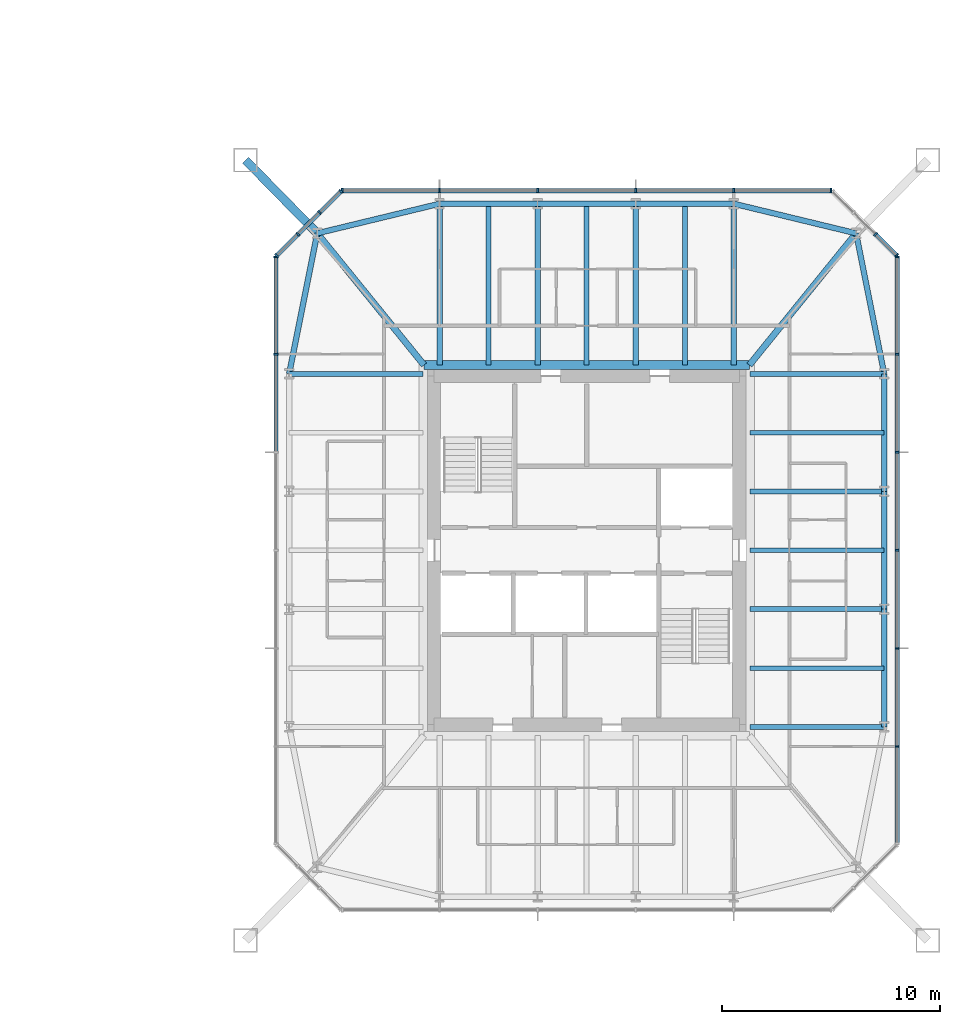
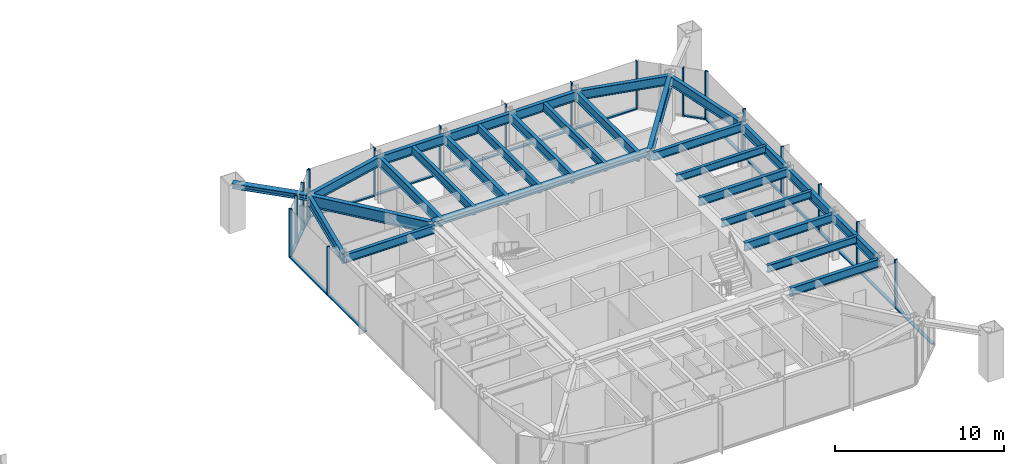
# One storey, part 9 of 25: 38 members, 28 beams, 5 elements without a shape of their own.
"""IFC4 building model written with IfcOpenShell, lengths in metres."""

from ifc_helpers import new_model, si_unit, direction, frame, origin, origin_2d, place, context, subcontext, project, spatial, rectangle, i_section, extrude, material, material_profile, profile_set, type_object, element, aggregate, save


model = new_model("IFC4")

# Units and contexts
model_context = context("Model", 3, precision=1e-05, world=origin(), true_north=direction((0.0, 1.0)))
body_context = subcontext(model_context, "Body", "Model", "MODEL_VIEW")
ifc_project = project(units=[si_unit("LENGTHUNIT", "METRE"), si_unit("AREAUNIT", "SQUARE_METRE"), si_unit("VOLUMEUNIT", "CUBIC_METRE"), si_unit("PLANEANGLEUNIT", "RADIAN"), si_unit("MASSUNIT", "GRAM", prefix="KILO")], contexts=[model_context])

# Site, building, storey
site_placement = place(None, origin())
site = spatial("IfcSite", under=ifc_project, at=site_placement, CompositionType="ELEMENT")
building_placement = place(site_placement, origin())
building = spatial("IfcBuilding", under=site, at=building_placement, Name="Iwan Alto Co-Living Towers", CompositionType="ELEMENT")
storey_placement = place(building_placement, frame((0.0, 0.0, 119.0)))
storey = spatial("IfcBuildingStorey", under=building, at=storey_placement, Name="L32", CompositionType="ELEMENT", Elevation=119.0)

# Curtain wall, members
ifc_material_1 = material(Name="Bronze aluminium unitised frame", Category="aluminium")
curtain_wall_type_1 = type_object("IfcCurtainWallType", Name="CURTAIN WALL CW-C", PredefinedType="NOTDEFINED", material=ifc_material_1)
curtain_wall_1_placement = place(storey_placement, origin())
curtain_wall_1 = element("IfcCurtainWall", 1, at=curtain_wall_1_placement, inside=storey, type_object=curtain_wall_type_1, Name="T2 curtain wall E L32", PredefinedType="NOTDEFINED")
ifc_material_2 = material(Name="Aluminium 6063-T6 bronze anodised", Category="aluminium")
ifc_material_profile_1 = material_profile(ifc_material_2, rectangle(XDim=0.199951171875, YDim=0.080078125, at=origin_2d()), Name="AL 80X200")
ifc_profile_set_1 = profile_set([ifc_material_profile_1], Name="Aluminium 6063-T6 bronze anodised")
member_type_1 = type_object("IfcMemberType", Name="CW-C MULLION 80X200", PredefinedType="MULLION", material=ifc_profile_set_1)
member_1_placement = place(storey_placement, frame((77.25, -9.0, 0.0), z_axis=(0.0, 0.0, 1.0), x_axis=(-1.0, 0.0, 0.0)))
member_1 = element("IfcMember", 2, at=member_1_placement, type_object=member_type_1, Name="CW-C mullion 2", PredefinedType="MULLION", context=body_context, shape_type="SweptSolid", body=[
    extrude(rectangle(XDim=0.199951171875, YDim=0.080078125, at=origin_2d()), origin(), (0.0, 0.0, 1.0), 3.5),
])
member_2_placement = place(storey_placement, frame((77.25, -4.5, 0.0), z_axis=(0.0, 0.0, 1.0), x_axis=(-1.0, 0.0, 0.0)))
member_2 = element("IfcMember", 3, at=member_2_placement, type_object=member_type_1, Name="CW-C mullion 3", PredefinedType="MULLION", context=body_context, shape_type="SweptSolid", body=[
    extrude(rectangle(XDim=0.199951171875, YDim=0.080078125, at=origin_2d()), origin(), (0.0, 0.0, 1.0), 3.5),
])
member_3_placement = place(storey_placement, frame((77.25, 0.0, 0.0), z_axis=(0.0, 0.0, 1.0), x_axis=(-1.0, 0.0, 0.0)))
member_3 = element("IfcMember", 4, at=member_3_placement, type_object=member_type_1, Name="CW-C mullion 4", PredefinedType="MULLION", context=body_context, shape_type="SweptSolid", body=[
    extrude(rectangle(XDim=0.199951171875, YDim=0.080078125, at=origin_2d()), origin(), (0.0, 0.0, 1.0), 3.5),
])
member_4_placement = place(storey_placement, frame((77.25, 4.5, 0.0), z_axis=(0.0, 0.0, 1.0), x_axis=(-1.0, 0.0, 0.0)))
member_4 = element("IfcMember", 5, at=member_4_placement, type_object=member_type_1, Name="CW-C mullion 5", PredefinedType="MULLION", context=body_context, shape_type="SweptSolid", body=[
    extrude(rectangle(XDim=0.199951171875, YDim=0.080078125, at=origin_2d()), origin(), (0.0, 0.0, 1.0), 3.5),
])
member_5_placement = place(storey_placement, frame((77.25, 9.0, 0.0), z_axis=(0.0, 0.0, 1.0), x_axis=(-1.0, 0.0, 0.0)))
member_5 = element("IfcMember", 6, at=member_5_placement, type_object=member_type_1, Name="CW-C mullion 6", PredefinedType="MULLION", context=body_context, shape_type="SweptSolid", body=[
    extrude(rectangle(XDim=0.199951171875, YDim=0.080078125, at=origin_2d()), origin(), (0.0, 0.0, 1.0), 3.5),
])
member_6_placement = place(storey_placement, frame((77.25, 13.4599609375, 0.0), z_axis=(0.0, 0.0, 1.0), x_axis=(-1.0, 0.0, 0.0)))
member_6 = element("IfcMember", 7, at=member_6_placement, type_object=member_type_1, Name="CW-C mullion 7", PredefinedType="MULLION", context=body_context, shape_type="SweptSolid", body=[
    extrude(rectangle(XDim=0.199951171875, YDim=0.080078125, at=origin_2d()), origin(), (0.0, 0.0, 1.0), 3.5),
])

curtain_wall_2_placement = place(storey_placement, origin())
curtain_wall_2 = element("IfcCurtainWall", 8, at=curtain_wall_2_placement, inside=storey, type_object=curtain_wall_type_1, Name="T2 curtain wall N L32", PredefinedType="NOTDEFINED")
member_7_placement = place(storey_placement, frame((74.2099609375, 16.5, 0.0), z_axis=(0.0, 0.0, 1.0), x_axis=(0.0, -1.0, 0.0)))
member_7 = element("IfcMember", 9, at=member_7_placement, type_object=member_type_1, Name="CW-C mullion 1", PredefinedType="MULLION", context=body_context, shape_type="SweptSolid", body=[
    extrude(rectangle(XDim=0.199951171875, YDim=0.080078125, at=origin_2d()), origin(), (0.0, 0.0, 1.0), 3.5),
])
member_8_placement = place(storey_placement, frame((69.75, 16.5, 0.0), z_axis=(0.0, 0.0, 1.0), x_axis=(0.0, -1.0, 0.0)))
member_8 = element("IfcMember", 10, at=member_8_placement, type_object=member_type_1, Name="CW-C mullion 2", PredefinedType="MULLION", context=body_context, shape_type="SweptSolid", body=[
    extrude(rectangle(XDim=0.199951171875, YDim=0.080078125, at=origin_2d()), origin(), (0.0, 0.0, 1.0), 3.5),
])
member_9_placement = place(storey_placement, frame((65.25, 16.5, 0.0), z_axis=(0.0, 0.0, 1.0), x_axis=(0.0, -1.0, 0.0)))
member_9 = element("IfcMember", 11, at=member_9_placement, type_object=member_type_1, Name="CW-C mullion 3", PredefinedType="MULLION", context=body_context, shape_type="SweptSolid", body=[
    extrude(rectangle(XDim=0.199951171875, YDim=0.080078125, at=origin_2d()), origin(), (0.0, 0.0, 1.0), 3.5),
])
member_10_placement = place(storey_placement, frame((60.75, 16.5, 0.0), z_axis=(0.0, 0.0, 1.0), x_axis=(0.0, -1.0, 0.0)))
member_10 = element("IfcMember", 12, at=member_10_placement, type_object=member_type_1, Name="CW-C mullion 4", PredefinedType="MULLION", context=body_context, shape_type="SweptSolid", body=[
    extrude(rectangle(XDim=0.199951171875, YDim=0.080078125, at=origin_2d()), origin(), (0.0, 0.0, 1.0), 3.5),
])
member_11_placement = place(storey_placement, frame((56.25, 16.5, 0.0), z_axis=(0.0, 0.0, 1.0), x_axis=(0.0, -1.0, 0.0)))
member_11 = element("IfcMember", 13, at=member_11_placement, type_object=member_type_1, Name="CW-C mullion 5", PredefinedType="MULLION", context=body_context, shape_type="SweptSolid", body=[
    extrude(rectangle(XDim=0.199951171875, YDim=0.080078125, at=origin_2d()), origin(), (0.0, 0.0, 1.0), 3.5),
])
member_12_placement = place(storey_placement, frame((51.7900390625, 16.5, 0.0), z_axis=(0.0, 0.0, 1.0), x_axis=(0.0, -1.0, 0.0)))
member_12 = element("IfcMember", 14, at=member_12_placement, type_object=member_type_1, Name="CW-C mullion 6", PredefinedType="MULLION", context=body_context, shape_type="SweptSolid", body=[
    extrude(rectangle(XDim=0.199951171875, YDim=0.080078125, at=origin_2d()), origin(), (0.0, 0.0, 1.0), 3.5),
])

curtain_wall_3_placement = place(storey_placement, origin())
curtain_wall_3 = element("IfcCurtainWall", 15, at=curtain_wall_3_placement, inside=storey, type_object=curtain_wall_type_1, Name="T2 curtain wall W L32", PredefinedType="NOTDEFINED")
member_13_placement = place(storey_placement, frame((48.75, 13.4599609375, 0.0), z_axis=(0.0, 0.0, 1.0), x_axis=(1.0, 0.0, 0.0)))
member_13 = element("IfcMember", 16, at=member_13_placement, type_object=member_type_1, Name="CW-C mullion 1", PredefinedType="MULLION", context=body_context, shape_type="SweptSolid", body=[
    extrude(rectangle(XDim=0.199951171875, YDim=0.080078125, at=origin_2d()), origin(), (0.0, 0.0, 1.0), 3.5),
])
member_14_placement = place(storey_placement, frame((48.75, 9.0, 0.0), z_axis=(0.0, 0.0, 1.0), x_axis=(1.0, 0.0, 0.0)))
member_14 = element("IfcMember", 17, at=member_14_placement, type_object=member_type_1, Name="CW-C mullion 2", PredefinedType="MULLION", context=body_context, shape_type="SweptSolid", body=[
    extrude(rectangle(XDim=0.199951171875, YDim=0.080078125, at=origin_2d()), origin(), (0.0, 0.0, 1.0), 3.5),
])

# Member
ifc_material_3 = material(Name="Aluminium 6063-T6 bronze anodised", Category="aluminium")
ifc_material_profile_2 = material_profile(ifc_material_3, rectangle(XDim=0.199951171875, YDim=0.10009765625, at=origin_2d()), Name="AL 200X100")
ifc_profile_set_2 = profile_set([ifc_material_profile_2], Name="Aluminium 6063-T6 bronze anodised")
member_type_2 = type_object("IfcMemberType", Name="CW-C TRANSOM 200X100", PredefinedType="USERDEFINED", material=ifc_profile_set_2)
member_15_placement = place(storey_placement, frame((77.25, -13.419921875, 0.050048828125), z_axis=(0.0, 1.0, 0.0), x_axis=(-1.0, 0.0, 0.0)))
member_15 = element("IfcMember", 18, at=member_15_placement, type_object=member_type_2, Name="CW-C transom 1.1", ObjectType="TRANSOM", PredefinedType="USERDEFINED", context=body_context, shape_type="SweptSolid", body=[
    extrude(rectangle(XDim=0.199951171875, YDim=0.10009765625, at=origin_2d()), origin(), (0.0, 0.0, 1.0), 4.3798828125),
])

member_16_placement = place(storey_placement, frame((77.25, -8.9599609375, 0.050048828125), z_axis=(0.0, 1.0, 0.0), x_axis=(-1.0, 0.0, 0.0)))
member_16 = element("IfcMember", 19, at=member_16_placement, type_object=member_type_2, Name="CW-C transom 2.1", ObjectType="TRANSOM", PredefinedType="USERDEFINED", context=body_context, shape_type="SweptSolid", body=[
    extrude(rectangle(XDim=0.199951171875, YDim=0.10009765625, at=origin_2d()), origin(), (0.0, 0.0, 1.0), 4.419921875),
])

member_17_placement = place(storey_placement, frame((77.25, -4.4599609375, 0.050048828125), z_axis=(0.0, 1.0, 0.0), x_axis=(-1.0, 0.0, 0.0)))
member_17 = element("IfcMember", 20, at=member_17_placement, type_object=member_type_2, Name="CW-C transom 3.1", ObjectType="TRANSOM", PredefinedType="USERDEFINED", context=body_context, shape_type="SweptSolid", body=[
    extrude(rectangle(XDim=0.199951171875, YDim=0.10009765625, at=origin_2d()), origin(), (0.0, 0.0, 1.0), 4.419921875),
])

member_18_placement = place(storey_placement, frame((77.25, 0.0400390625, 0.050048828125), z_axis=(0.0, 1.0, 0.0), x_axis=(-1.0, 0.0, 0.0)))
member_18 = element("IfcMember", 21, at=member_18_placement, type_object=member_type_2, Name="CW-C transom 4.1", ObjectType="TRANSOM", PredefinedType="USERDEFINED", context=body_context, shape_type="SweptSolid", body=[
    extrude(rectangle(XDim=0.199951171875, YDim=0.10009765625, at=origin_2d()), origin(), (0.0, 0.0, 1.0), 4.419921875),
])

member_19_placement = place(storey_placement, frame((77.25, 4.5400390625, 0.050048828125), z_axis=(0.0, 1.0, 0.0), x_axis=(-1.0, 0.0, 0.0)))
member_19 = element("IfcMember", 22, at=member_19_placement, type_object=member_type_2, Name="CW-C transom 5.1", ObjectType="TRANSOM", PredefinedType="USERDEFINED", context=body_context, shape_type="SweptSolid", body=[
    extrude(rectangle(XDim=0.199951171875, YDim=0.10009765625, at=origin_2d()), origin(), (0.0, 0.0, 1.0), 4.419921875),
])

member_20_placement = place(storey_placement, frame((77.25, 9.0400390625, 0.050048828125), z_axis=(0.0, 1.0, 0.0), x_axis=(-1.0, 0.0, 0.0)))
member_20 = element("IfcMember", 23, at=member_20_placement, type_object=member_type_2, Name="CW-C transom 6.1", ObjectType="TRANSOM", PredefinedType="USERDEFINED", context=body_context, shape_type="SweptSolid", body=[
    extrude(rectangle(XDim=0.199951171875, YDim=0.10009765625, at=origin_2d()), origin(), (0.0, 0.0, 1.0), 4.3798828125),
])

aggregate(curtain_wall_1, [member_1, member_2, member_3, member_4, member_5, member_6, member_15, member_16, member_17, member_18, member_19, member_20])

member_21_placement = place(storey_placement, frame((74.169921875, 16.5, 0.050048828125), z_axis=(-1.0, 0.0, 0.0), x_axis=(0.0, -1.0, 0.0)))
member_21 = element("IfcMember", 24, at=member_21_placement, type_object=member_type_2, Name="CW-C transom 1.1", ObjectType="TRANSOM", PredefinedType="USERDEFINED", context=body_context, shape_type="SweptSolid", body=[
    extrude(rectangle(XDim=0.199951171875, YDim=0.10009765625, at=origin_2d()), origin(), (0.0, 0.0, 1.0), 4.3798828125),
])

member_22_placement = place(storey_placement, frame((69.7099609375, 16.5, 0.050048828125), z_axis=(-1.0, 0.0, 0.0), x_axis=(0.0, -1.0, 0.0)))
member_22 = element("IfcMember", 25, at=member_22_placement, type_object=member_type_2, Name="CW-C transom 2.1", ObjectType="TRANSOM", PredefinedType="USERDEFINED", context=body_context, shape_type="SweptSolid", body=[
    extrude(rectangle(XDim=0.199951171875, YDim=0.10009765625, at=origin_2d()), origin(), (0.0, 0.0, 1.0), 4.419921875),
])

member_23_placement = place(storey_placement, frame((65.2099609375, 16.5, 0.050048828125), z_axis=(-1.0, 0.0, 0.0), x_axis=(0.0, -1.0, 0.0)))
member_23 = element("IfcMember", 26, at=member_23_placement, type_object=member_type_2, Name="CW-C transom 3.1", ObjectType="TRANSOM", PredefinedType="USERDEFINED", context=body_context, shape_type="SweptSolid", body=[
    extrude(rectangle(XDim=0.199951171875, YDim=0.10009765625, at=origin_2d()), origin(), (0.0, 0.0, 1.0), 4.419921875),
])

member_24_placement = place(storey_placement, frame((60.7099609375, 16.5, 0.050048828125), z_axis=(-1.0, 0.0, 0.0), x_axis=(0.0, -1.0, 0.0)))
member_24 = element("IfcMember", 27, at=member_24_placement, type_object=member_type_2, Name="CW-C transom 4.1", ObjectType="TRANSOM", PredefinedType="USERDEFINED", context=body_context, shape_type="SweptSolid", body=[
    extrude(rectangle(XDim=0.199951171875, YDim=0.10009765625, at=origin_2d()), origin(), (0.0, 0.0, 1.0), 4.419921875),
])

member_25_placement = place(storey_placement, frame((56.2099609375, 16.5, 0.050048828125), z_axis=(-1.0, 0.0, 0.0), x_axis=(0.0, -1.0, 0.0)))
member_25 = element("IfcMember", 28, at=member_25_placement, type_object=member_type_2, Name="CW-C transom 5.1", ObjectType="TRANSOM", PredefinedType="USERDEFINED", context=body_context, shape_type="SweptSolid", body=[
    extrude(rectangle(XDim=0.199951171875, YDim=0.10009765625, at=origin_2d()), origin(), (0.0, 0.0, 1.0), 4.3798828125),
])

aggregate(curtain_wall_2, [member_7, member_8, member_9, member_10, member_11, member_12, member_21, member_22, member_23, member_24, member_25])

member_26_placement = place(storey_placement, frame((48.75, 13.419921875, 0.050048828125), z_axis=(0.0, -1.0, 0.0), x_axis=(1.0, 0.0, 0.0)))
member_26 = element("IfcMember", 29, at=member_26_placement, type_object=member_type_2, Name="CW-C transom 1.1", ObjectType="TRANSOM", PredefinedType="USERDEFINED", context=body_context, shape_type="SweptSolid", body=[
    extrude(rectangle(XDim=0.199951171875, YDim=0.10009765625, at=origin_2d()), origin(), (0.0, 0.0, 1.0), 4.3798828125),
])

member_27_placement = place(storey_placement, frame((48.75, 8.9599609375, 0.050048828125), z_axis=(0.0, -1.0, 0.0), x_axis=(1.0, 0.0, 0.0)))
member_27 = element("IfcMember", 30, at=member_27_placement, type_object=member_type_2, Name="CW-C transom 2.1", ObjectType="TRANSOM", PredefinedType="USERDEFINED", context=body_context, shape_type="SweptSolid", body=[
    extrude(rectangle(XDim=0.199951171875, YDim=0.10009765625, at=origin_2d()), origin(), (0.0, 0.0, 1.0), 4.419921875),
])

aggregate(curtain_wall_3, [member_13, member_14, member_26, member_27])

# Curtain wall, members
ifc_material_4 = material(Name="Bronze aluminium unitised frame", Category="aluminium")
curtain_wall_type_2 = type_object("IfcCurtainWallType", Name="CURTAIN WALL CW-D", PredefinedType="NOTDEFINED", material=ifc_material_4)
curtain_wall_4_placement = place(storey_placement, origin())
curtain_wall_4 = element("IfcCurtainWall", 31, at=curtain_wall_4_placement, inside=storey, type_object=curtain_wall_type_2, Name="T2 chamfer curtain wall NE L32", PredefinedType="NOTDEFINED")
ifc_material_5 = material(Name="Aluminium 6063-T6 bronze anodised", Category="aluminium")
ifc_material_profile_3 = material_profile(ifc_material_5, rectangle(XDim=0.199951171875, YDim=0.080078125, at=origin_2d()), Name="AL 80X200")
ifc_profile_set_3 = profile_set([ifc_material_profile_3], Name="Aluminium 6063-T6 bronze anodised")
member_type_3 = type_object("IfcMemberType", Name="CW-D MULLION 80X200", PredefinedType="MULLION", material=ifc_profile_set_3)
member_28_placement = place(storey_placement, frame((77.2216796875, 13.5283203125, 0.0), z_axis=(0.0, 0.0, 1.0), x_axis=(-0.707106781187, -0.707106781187, 0.0)))
member_28 = element("IfcMember", 32, at=member_28_placement, type_object=member_type_3, Name="CW-D mullion 1", PredefinedType="MULLION", context=body_context, shape_type="SweptSolid", body=[
    extrude(rectangle(XDim=0.199951171875, YDim=0.080078125, at=origin_2d()), origin(), (0.0, 0.0, 1.0), 3.5),
])
member_29_placement = place(storey_placement, frame((76.25, 14.5, 0.0), z_axis=(0.0, 0.0, 1.0), x_axis=(-0.707106781187, -0.707106781187, 0.0)))
member_29 = element("IfcMember", 33, at=member_29_placement, type_object=member_type_3, Name="CW-D mullion 2", PredefinedType="MULLION", context=body_context, shape_type="SweptSolid", body=[
    extrude(rectangle(XDim=0.199951171875, YDim=0.080078125, at=origin_2d()), origin(), (0.0, 0.0, 1.0), 3.5),
])

curtain_wall_5_placement = place(storey_placement, origin())
curtain_wall_5 = element("IfcCurtainWall", 34, at=curtain_wall_5_placement, inside=storey, type_object=curtain_wall_type_2, Name="T2 chamfer curtain wall NW L32", PredefinedType="NOTDEFINED")
member_30_placement = place(storey_placement, frame((51.7216796875, 16.4716796875, 0.0), z_axis=(0.0, 0.0, 1.0), x_axis=(0.707106781187, -0.707106781187, 0.0)))
member_30 = element("IfcMember", 35, at=member_30_placement, type_object=member_type_3, Name="CW-D mullion 1", PredefinedType="MULLION", context=body_context, shape_type="SweptSolid", body=[
    extrude(rectangle(XDim=0.199951171875, YDim=0.080078125, at=origin_2d()), origin(), (0.0, 0.0, 1.0), 3.5),
])
member_31_placement = place(storey_placement, frame((50.75, 15.5, 0.0), z_axis=(0.0, 0.0, 1.0), x_axis=(0.707106781187, -0.707106781187, 0.0)))
member_31 = element("IfcMember", 36, at=member_31_placement, type_object=member_type_3, Name="CW-D mullion 2", PredefinedType="MULLION", context=body_context, shape_type="SweptSolid", body=[
    extrude(rectangle(XDim=0.199951171875, YDim=0.080078125, at=origin_2d()), origin(), (0.0, 0.0, 1.0), 3.5),
])
member_32_placement = place(storey_placement, frame((49.75, 14.5, 0.0), z_axis=(0.0, 0.0, 1.0), x_axis=(0.707106781187, -0.707106781187, 0.0)))
member_32 = element("IfcMember", 37, at=member_32_placement, type_object=member_type_3, Name="CW-D mullion 3", PredefinedType="MULLION", context=body_context, shape_type="SweptSolid", body=[
    extrude(rectangle(XDim=0.199951171875, YDim=0.080078125, at=origin_2d()), origin(), (0.0, 0.0, 1.0), 3.5),
])
member_33_placement = place(storey_placement, frame((48.7783203125, 13.5283203125, 0.0), z_axis=(0.0, 0.0, 1.0), x_axis=(0.707106781187, -0.707106781187, 0.0)))
member_33 = element("IfcMember", 38, at=member_33_placement, type_object=member_type_3, Name="CW-D mullion 4", PredefinedType="MULLION", context=body_context, shape_type="SweptSolid", body=[
    extrude(rectangle(XDim=0.199951171875, YDim=0.080078125, at=origin_2d()), origin(), (0.0, 0.0, 1.0), 3.5),
])

# Member
ifc_material_6 = material(Name="Aluminium 6063-T6 bronze anodised", Category="aluminium")
ifc_material_profile_4 = material_profile(ifc_material_6, rectangle(XDim=0.199951171875, YDim=0.10009765625, at=origin_2d()), Name="AL 200X100")
ifc_profile_set_4 = profile_set([ifc_material_profile_4], Name="Aluminium 6063-T6 bronze anodised")
member_type_4 = type_object("IfcMemberType", Name="CW-D TRANSOM 200X100", PredefinedType="USERDEFINED", material=ifc_profile_set_4)
member_34_placement = place(storey_placement, frame((77.193359375, 13.556640625, 0.050048828125), z_axis=(-0.707106781187, 0.707106781187, 0.0), x_axis=(-0.707106781187, -0.707106781187, 0.0)))
member_34 = element("IfcMember", 39, at=member_34_placement, type_object=member_type_4, Name="CW-D transom 1.1", ObjectType="TRANSOM", PredefinedType="USERDEFINED", context=body_context, shape_type="SweptSolid", body=[
    extrude(rectangle(XDim=0.199951171875, YDim=0.10009765625, at=origin_2d()), origin(), (0.0, 0.0, 1.0), 1.2939453125),
])

aggregate(curtain_wall_4, [member_28, member_29, member_34])

member_35_placement = place(storey_placement, frame((51.693359375, 16.443359375, 0.050048828125), z_axis=(-0.707106781187, -0.707106781187, 0.0), x_axis=(0.707106781187, -0.707106781187, 0.0)))
member_35 = element("IfcMember", 40, at=member_35_placement, type_object=member_type_4, Name="CW-D transom 1.1", ObjectType="TRANSOM", PredefinedType="USERDEFINED", context=body_context, shape_type="SweptSolid", body=[
    extrude(rectangle(XDim=0.199951171875, YDim=0.10009765625, at=origin_2d()), origin(), (0.0, 0.0, 1.0), 1.2939453125),
])

member_36_placement = place(storey_placement, frame((50.7216796875, 15.4716796875, 0.050048828125), z_axis=(-0.707106781187, -0.707106781187, 0.0), x_axis=(0.707106781187, -0.707106781187, 0.0)))
member_36 = element("IfcMember", 41, at=member_36_placement, type_object=member_type_4, Name="CW-D transom 2.1", ObjectType="TRANSOM", PredefinedType="USERDEFINED", context=body_context, shape_type="SweptSolid", body=[
    extrude(rectangle(XDim=0.199951171875, YDim=0.10009765625, at=origin_2d()), origin(), (0.0, 0.0, 1.0), 1.334228515625),
])

member_37_placement = place(storey_placement, frame((49.7216796875, 14.4716796875, 0.050048828125), z_axis=(-0.707106781187, -0.707106781187, 0.0), x_axis=(0.707106781187, -0.707106781187, 0.0)))
member_37 = element("IfcMember", 42, at=member_37_placement, type_object=member_type_4, Name="CW-D transom 3.1", ObjectType="TRANSOM", PredefinedType="USERDEFINED", context=body_context, shape_type="SweptSolid", body=[
    extrude(rectangle(XDim=0.199951171875, YDim=0.10009765625, at=origin_2d()), origin(), (0.0, 0.0, 1.0), 1.2939453125),
])

aggregate(curtain_wall_5, [member_30, member_31, member_32, member_33, member_35, member_36, member_37])

# Beams
ifc_material_7 = material(Name="Steel ASTM A992 Gr 50", Category="steel")
ifc_material_profile_5 = material_profile(ifc_material_7, i_section(OverallWidth=0.398681640625, OverallDepth=0.385986328125, WebThickness=0.02099609375, FlangeThickness=0.033203125, at=origin_2d()), Name="W14X176")
ifc_profile_set_5 = profile_set([ifc_material_profile_5], Name="Steel ASTM A992 Gr 50")
beam_type_1 = type_object("IfcBeamType", Name="T2 CORE LEDGER BEAM W14X176", PredefinedType="BEAM", material=ifc_profile_set_5)
beam_1_placement = place(storey_placement, frame((70.461669921875, 8.49951171875, 3.076904296875), z_axis=(-1.0, 0.0, 0.0), x_axis=(0.0, -1.0, 0.0)))
element("IfcBeam", 43, at=beam_1_placement, inside=storey, type_object=beam_type_1, Name="T2 core ledger beam N L33", PredefinedType="BEAM", context=body_context, shape_type="SweptSolid", body=[
    extrude(i_section(OverallWidth=0.398681640625, OverallDepth=0.385986328125, WebThickness=0.02099609375, FlangeThickness=0.033203125, at=origin_2d()), origin(), (0.0, 0.0, 1.0), 14.92333984375),
])
ifc_material_8 = material(Name="Steel ASTM A992 Gr 50", Category="steel")
ifc_material_profile_6 = material_profile(ifc_material_8, i_section(OverallWidth=0.2919921875, OverallDepth=0.8408203125, WebThickness=0.0146484375, FlangeThickness=0.021728515625, at=origin_2d()), Name="W33X130")
ifc_profile_set_6 = profile_set([ifc_material_profile_6], Name="Steel ASTM A992 Gr 50")
beam_type_2 = type_object("IfcBeamType", Name="T2 CORNER GIRDER W33X130", PredefinedType="BEAM", material=ifc_profile_set_6)
for number, where, z_axis, x_axis, name in (
    (44, (75.361328125, 14.542724609375, 2.849609375), (-0.629783024592, -0.776771100091, 0.0), (0.776771100091, -0.629783024592, 0.0), "T2 corner girder CNE L33"),
    (45, (50.638671875, 14.542724609375, 2.849609375), (0.629783024592, -0.776771100091, 0.0), (0.776771100091, 0.629783024592, 0.0), "T2 corner girder CNW L33"),
):
    element("IfcBeam", number, at=place(storey_placement, frame(where, z_axis=z_axis, x_axis=x_axis)), inside=storey, type_object=beam_type_2, Name=name, PredefinedType="BEAM", context=body_context, shape_type="SweptSolid", body=[
        extrude(i_section(OverallWidth=0.2919921875, OverallDepth=0.8408203125, WebThickness=0.0146484375, FlangeThickness=0.021728515625, at=origin_2d()), origin(), (0.0, 0.0, 1.0), 7.780029296875),
    ])
ifc_material_9 = material(Name="Steel ASTM A992 Gr 50", Category="steel")
ifc_material_profile_7 = material_profile(ifc_material_9, i_section(OverallWidth=0.25390625, OverallDepth=0.683349609375, WebThickness=0.012451171875, FlangeThickness=0.018798828125, at=origin_2d()), Name="W27X94")
ifc_profile_set_7 = profile_set([ifc_material_profile_7], Name="Steel ASTM A992 Gr 50")
beam_type_3 = type_object("IfcBeamType", Name="T2 EDGE BEAM W27X94", PredefinedType="BEAM", material=ifc_profile_set_7)
beam_2_placement = place(storey_placement, frame((76.64990234375, -8.10009765625, 2.928466796875), z_axis=(0.0, 1.0, 0.0), x_axis=(-1.0, 0.0, 0.0)))
element("IfcBeam", 46, at=beam_2_placement, inside=storey, type_object=beam_type_3, Name="T2 edge beam E1 L33", PredefinedType="BEAM", context=body_context, shape_type="SweptSolid", body=[
    extrude(i_section(OverallWidth=0.25390625, OverallDepth=0.683349609375, WebThickness=0.012451171875, FlangeThickness=0.018798828125, at=origin_2d()), origin(), (0.0, 0.0, 1.0), 5.400146484375),
])
beam_3_placement = place(storey_placement, frame((76.64990234375, -2.699951171875, 2.928466796875), z_axis=(0.0, 1.0, 0.0), x_axis=(-1.0, 0.0, 0.0)))
element("IfcBeam", 47, at=beam_3_placement, inside=storey, type_object=beam_type_3, Name="T2 edge beam E2 L33", PredefinedType="BEAM", context=body_context, shape_type="SweptSolid", body=[
    extrude(i_section(OverallWidth=0.25390625, OverallDepth=0.683349609375, WebThickness=0.012451171875, FlangeThickness=0.018798828125, at=origin_2d()), origin(), (0.0, 0.0, 1.0), 5.39990234375),
])
beam_4_placement = place(storey_placement, frame((76.64990234375, 2.699951171875, 2.928466796875), z_axis=(0.0, 1.0, 0.0), x_axis=(-1.0, 0.0, 0.0)))
element("IfcBeam", 48, at=beam_4_placement, inside=storey, type_object=beam_type_3, Name="T2 edge beam E3 L33", PredefinedType="BEAM", context=body_context, shape_type="SweptSolid", body=[
    extrude(i_section(OverallWidth=0.25390625, OverallDepth=0.683349609375, WebThickness=0.012451171875, FlangeThickness=0.018798828125, at=origin_2d()), origin(), (0.0, 0.0, 1.0), 5.400146484375),
])
beam_5_placement = place(storey_placement, frame((76.64990234375, 8.10009765625, 2.928466796875), z_axis=(-0.196123281025, 0.980579246487, 0.0), x_axis=(-0.980579246487, -0.196123281025, 0.0)))
element("IfcBeam", 49, at=beam_5_placement, inside=storey, type_object=beam_type_3, Name="T2 edge beam E4 L33", PredefinedType="BEAM", context=body_context, shape_type="SweptSolid", body=[
    extrude(i_section(OverallWidth=0.25390625, OverallDepth=0.683349609375, WebThickness=0.012451171875, FlangeThickness=0.018798828125, at=origin_2d()), origin(), (0.0, 0.0, 1.0), 6.5703125),
])
beam_6_placement = place(storey_placement, frame((75.361328125, 14.542724609375, 2.928466796875), z_axis=(-0.971974673138, 0.235085590323, 0.0), x_axis=(-0.235085590323, -0.971974673138, 0.0)))
element("IfcBeam", 50, at=beam_6_placement, inside=storey, type_object=beam_type_3, Name="T2 edge beam CNE L33", PredefinedType="BEAM", context=body_context, shape_type="SweptSolid", body=[
    extrude(i_section(OverallWidth=0.25390625, OverallDepth=0.683349609375, WebThickness=0.012451171875, FlangeThickness=0.018798828125, at=origin_2d()), origin(), (0.0, 0.0, 1.0), 5.773193359375),
])
for number, where, z_axis, x_axis, name in (
    (51, (69.75, 15.89990234375, 2.928466796875), (-1.0, 0.0, 0.0), (0.0, -1.0, 0.0), "T2 edge beam N1 L33"),
    (52, (65.25, 15.89990234375, 2.928466796875), (-1.0, 0.0, 0.0), (0.0, -1.0, 0.0), "T2 edge beam N2 L33"),
    (53, (60.75, 15.89990234375, 2.928466796875), (-1.0, 0.0, 0.0), (0.0, -1.0, 0.0), "T2 edge beam N3 L33"),
):
    element("IfcBeam", number, at=place(storey_placement, frame(where, z_axis=z_axis, x_axis=x_axis)), inside=storey, type_object=beam_type_3, Name=name, PredefinedType="BEAM", context=body_context, shape_type="SweptSolid", body=[
        extrude(i_section(OverallWidth=0.25390625, OverallDepth=0.683349609375, WebThickness=0.012451171875, FlangeThickness=0.018798828125, at=origin_2d()), origin(), (0.0, 0.0, 1.0), 4.5),
    ])
beam_7_placement = place(storey_placement, frame((56.25, 15.89990234375, 2.928466796875), z_axis=(-0.971974673138, -0.235085590323, 0.0), x_axis=(0.235085590323, -0.971974673138, 0.0)))
element("IfcBeam", 54, at=beam_7_placement, inside=storey, type_object=beam_type_3, Name="T2 edge beam N4 L33", PredefinedType="BEAM", context=body_context, shape_type="SweptSolid", body=[
    extrude(i_section(OverallWidth=0.25390625, OverallDepth=0.683349609375, WebThickness=0.012451171875, FlangeThickness=0.018798828125, at=origin_2d()), origin(), (0.0, 0.0, 1.0), 5.773193359375),
])
beam_8_placement = place(storey_placement, frame((50.638671875, 14.542724609375, 2.928466796875), z_axis=(-0.196123281025, -0.980579246487, 0.0), x_axis=(0.980579246487, -0.196123281025, 0.0)))
element("IfcBeam", 55, at=beam_8_placement, inside=storey, type_object=beam_type_3, Name="T2 edge beam CNW L33", PredefinedType="BEAM", context=body_context, shape_type="SweptSolid", body=[
    extrude(i_section(OverallWidth=0.25390625, OverallDepth=0.683349609375, WebThickness=0.012451171875, FlangeThickness=0.018798828125, at=origin_2d()), origin(), (0.0, 0.0, 1.0), 6.5703125),
])

# Member
ifc_material_10 = material(Name="Steel ASTM A992 Gr 50", Category="steel")
ifc_material_profile_8 = material_profile(ifc_material_10, i_section(OverallWidth=0.393798828125, OverallDepth=0.3759765625, WebThickness=0.017333984375, FlangeThickness=0.027587890625, at=origin_2d()), Name="W14X145")
ifc_profile_set_8 = profile_set([ifc_material_profile_8], Name="Steel ASTM A992 Gr 50")
member_type_5 = type_object("IfcMemberType", Name="T2 MEGA COLUMN FLOOR TIE W14X145", PredefinedType="STRUT", material=ifc_profile_set_8)
member_38_placement = place(storey_placement, frame((47.35009765625, 17.89990234375, 3.08203125), z_axis=(0.699770096147, -0.714368121166, 0.0), x_axis=(0.714368121166, 0.699770096147, 0.0)))
element("IfcMember", 56, at=member_38_placement, inside=storey, type_object=member_type_5, Name="T2 mega column floor tie NW L33", PredefinedType="STRUT", context=body_context, shape_type="SweptSolid", body=[
    extrude(i_section(OverallWidth=0.393798828125, OverallDepth=0.3759765625, WebThickness=0.017333984375, FlangeThickness=0.027587890625, at=origin_2d()), origin(), (0.0, 0.0, 1.0), 4.699462890625),
])

# Beams
ifc_material_11 = material(Name="Steel ASTM A992 Gr 50", Category="steel")
ifc_material_profile_9 = material_profile(ifc_material_11, i_section(OverallWidth=0.228271484375, OverallDepth=0.607177734375, WebThickness=0.01123046875, FlangeThickness=0.017333984375, at=origin_2d()), Name="W24X76")
ifc_profile_set_9 = profile_set([ifc_material_profile_9], Name="Steel ASTM A992 Gr 50")
beam_type_4 = type_object("IfcBeamType", Name="T2 RADIAL BEAM W24X76", PredefinedType="BEAM", material=ifc_profile_set_9)
for number, where, z_axis, x_axis, name in (
    (57, (76.64990234375, -8.10009765625, 2.966552734375), (-1.0, 0.0, 0.0), (0.0, -1.0, 0.0), "T2 radial beam E1 L33"),
    (58, (76.64990234375, -2.699951171875, 2.966552734375), (-1.0, 0.0, 0.0), (0.0, -1.0, 0.0), "T2 radial beam E2 L33"),
    (59, (76.64990234375, 2.699951171875, 2.966552734375), (-1.0, 0.0, 0.0), (0.0, -1.0, 0.0), "T2 radial beam E3 L33"),
    (60, (76.64990234375, 8.10009765625, 2.966552734375), (-1.0, 0.0, 0.0), (0.0, -1.0, 0.0), "T2 radial beam E4 L33"),
    (61, (49.35009765625, 8.10009765625, 2.966552734375), (1.0, 0.0, 0.0), (0.0, 1.0, 0.0), "T2 radial beam W1 L33"),
):
    element("IfcBeam", number, at=place(storey_placement, frame(where, z_axis=z_axis, x_axis=x_axis)), inside=storey, type_object=beam_type_4, Name=name, PredefinedType="BEAM", context=body_context, shape_type="SweptSolid", body=[
        extrude(i_section(OverallWidth=0.228271484375, OverallDepth=0.607177734375, WebThickness=0.01123046875, FlangeThickness=0.017333984375, at=origin_2d()), origin(), (0.0, 0.0, 1.0), 6.150390625),
    ])
ifc_material_12 = material(Name="Steel ASTM A992 Gr 50", Category="steel")
ifc_material_profile_10 = material_profile(ifc_material_12, i_section(OverallWidth=0.25390625, OverallDepth=0.683349609375, WebThickness=0.012451171875, FlangeThickness=0.018798828125, at=origin_2d()), Name="W27X94")
ifc_profile_set_10 = profile_set([ifc_material_profile_10], Name="Steel ASTM A992 Gr 50")
beam_type_5 = type_object("IfcBeamType", Name="T2 RADIAL BEAM W27X94", PredefinedType="BEAM", material=ifc_profile_set_10)
for number, where, z_axis, x_axis, name in (
    (62, (69.75, 15.89990234375, 2.928466796875), (0.0, -1.0, 0.0), (1.0, 0.0, 0.0), "T2 radial beam N1 L33"),
    (63, (65.25, 15.89990234375, 2.928466796875), (0.0, -1.0, 0.0), (1.0, 0.0, 0.0), "T2 radial beam N2 L33"),
    (64, (60.75, 15.89990234375, 2.928466796875), (0.0, -1.0, 0.0), (1.0, 0.0, 0.0), "T2 radial beam N3 L33"),
    (65, (56.25, 15.89990234375, 2.928466796875), (0.0, -1.0, 0.0), (1.0, 0.0, 0.0), "T2 radial beam N4 L33"),
):
    element("IfcBeam", number, at=place(storey_placement, frame(where, z_axis=z_axis, x_axis=x_axis)), inside=storey, type_object=beam_type_5, Name=name, PredefinedType="BEAM", context=body_context, shape_type="SweptSolid", body=[
        extrude(i_section(OverallWidth=0.25390625, OverallDepth=0.683349609375, WebThickness=0.012451171875, FlangeThickness=0.018798828125, at=origin_2d()), origin(), (0.0, 0.0, 1.0), 7.400390625),
    ])
ifc_material_13 = material(Name="Steel ASTM A992 Gr 50", Category="steel")
ifc_material_profile_11 = material_profile(ifc_material_13, i_section(OverallWidth=0.209228515625, OverallDepth=0.533447265625, WebThickness=0.01025390625, FlangeThickness=0.015625, at=origin_2d()), Name="W21X62")
ifc_profile_set_11 = profile_set([ifc_material_profile_11], Name="Steel ASTM A992 Gr 50")
beam_type_6 = type_object("IfcBeamType", Name="T2 SECONDARY BEAM W21X62", PredefinedType="JOIST", material=ifc_profile_set_11)
for number, where, z_axis, x_axis, name in (
    (66, (76.64990234375, -5.39990234375, 3.00341796875), (-1.0, 0.0, 0.0), (0.0, -1.0, 0.0), "T2 secondary beam E1 L33"),
    (67, (76.64990234375, 0.0, 3.00341796875), (-1.0, 0.0, 0.0), (0.0, -1.0, 0.0), "T2 secondary beam E2 L33"),
    (68, (76.64990234375, 5.39990234375, 3.00341796875), (-1.0, 0.0, 0.0), (0.0, -1.0, 0.0), "T2 secondary beam E3 L33"),
):
    element("IfcBeam", number, at=place(storey_placement, frame(where, z_axis=z_axis, x_axis=x_axis)), inside=storey, type_object=beam_type_6, Name=name, PredefinedType="JOIST", context=body_context, shape_type="SweptSolid", body=[
        extrude(i_section(OverallWidth=0.209228515625, OverallDepth=0.533447265625, WebThickness=0.01025390625, FlangeThickness=0.015625, at=origin_2d()), origin(), (0.0, 0.0, 1.0), 6.150390625),
    ])
ifc_material_14 = material(Name="Steel ASTM A992 Gr 50", Category="steel")
ifc_material_profile_12 = material_profile(ifc_material_14, i_section(OverallWidth=0.228271484375, OverallDepth=0.607177734375, WebThickness=0.01123046875, FlangeThickness=0.017333984375, at=origin_2d()), Name="W24X76")
ifc_profile_set_12 = profile_set([ifc_material_profile_12], Name="Steel ASTM A992 Gr 50")
beam_type_7 = type_object("IfcBeamType", Name="T2 SECONDARY BEAM W24X76", PredefinedType="JOIST", material=ifc_profile_set_12)
for number, where, z_axis, x_axis, name in (
    (69, (67.5, 15.89990234375, 2.966552734375), (0.0, -1.0, 0.0), (1.0, 0.0, 0.0), "T2 secondary beam N1 L33"),
    (70, (63.0, 15.89990234375, 2.966552734375), (0.0, -1.0, 0.0), (1.0, 0.0, 0.0), "T2 secondary beam N2 L33"),
    (71, (58.5, 15.89990234375, 2.966552734375), (0.0, -1.0, 0.0), (1.0, 0.0, 0.0), "T2 secondary beam N3 L33"),
):
    element("IfcBeam", number, at=place(storey_placement, frame(where, z_axis=z_axis, x_axis=x_axis)), inside=storey, type_object=beam_type_7, Name=name, PredefinedType="JOIST", context=body_context, shape_type="SweptSolid", body=[
        extrude(i_section(OverallWidth=0.228271484375, OverallDepth=0.607177734375, WebThickness=0.01123046875, FlangeThickness=0.017333984375, at=origin_2d()), origin(), (0.0, 0.0, 1.0), 7.400390625),
    ])

save(model, "model.ifc")
